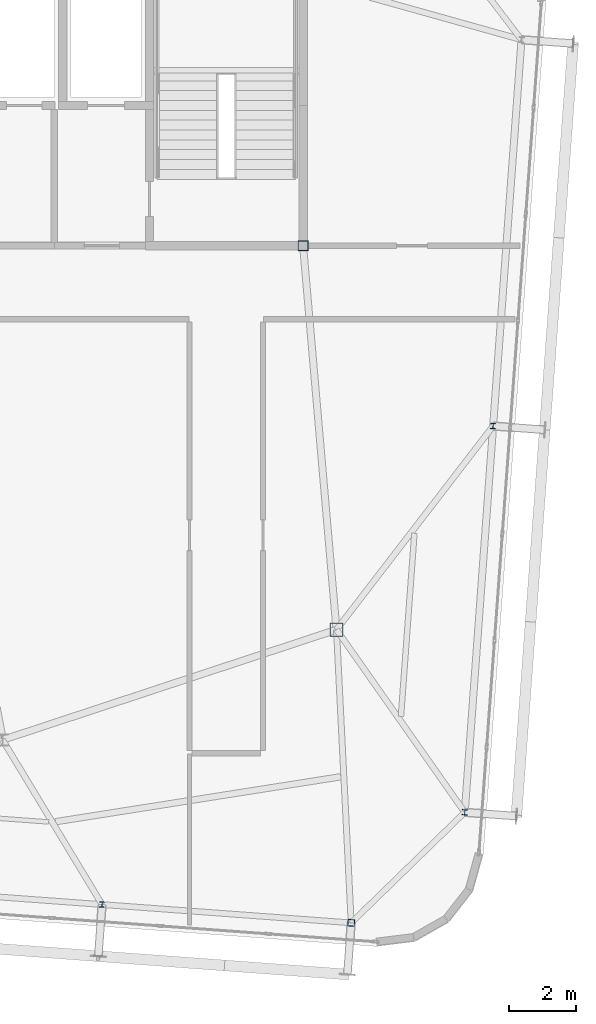
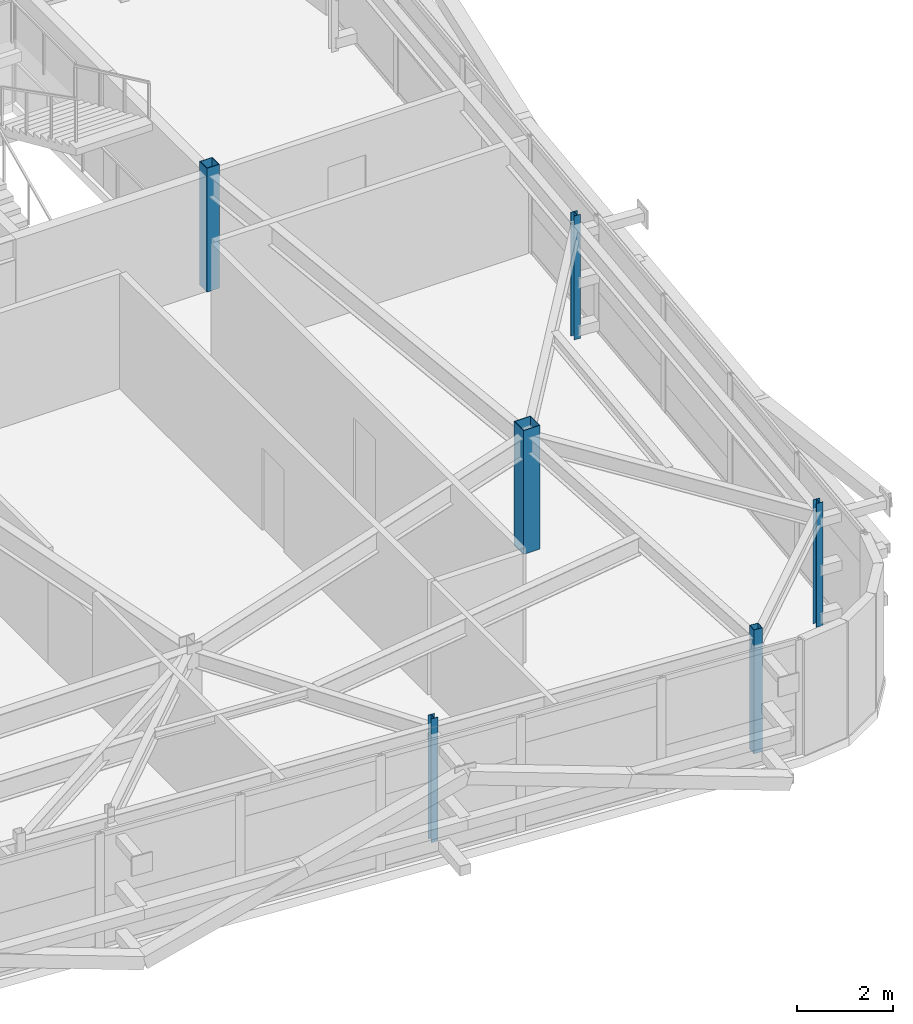
# One storey, part 5 of 42: 6 columns.
"""IFC4 building model written with IfcOpenShell, lengths in metres."""

from ifc_helpers import new_model, si_unit, direction, frame, origin, origin_2d, place, context, subcontext, project, spatial, hollow_rectangle, i_section, extrude, source, transform, mapped, material, material_profile, profile_set, type_object, element, save


model = new_model("IFC4")

# Units and contexts
model_context = context("Model", 3, precision=1e-05, world=origin(), true_north=direction((0.0, 1.0)))
body_context = subcontext(model_context, "Body", "Model", "MODEL_VIEW")
ifc_project = project(units=[si_unit("LENGTHUNIT", "METRE"), si_unit("AREAUNIT", "SQUARE_METRE"), si_unit("VOLUMEUNIT", "CUBIC_METRE"), si_unit("PLANEANGLEUNIT", "RADIAN"), si_unit("MASSUNIT", "GRAM", prefix="KILO")], contexts=[model_context])

# Site, building, storey
site_placement = place(None, origin())
site = spatial("IfcSite", under=ifc_project, at=site_placement, CompositionType="ELEMENT")
building_placement = place(site_placement, origin())
building = spatial("IfcBuilding", under=site, at=building_placement, Name="Taldren Reach Tower", CompositionType="ELEMENT")
storey_placement = place(building_placement, frame((0.0, 0.0, 220.85009765625)))
storey = spatial("IfcBuildingStorey", under=building, at=storey_placement, Name="L67", CompositionType="ELEMENT", Elevation=220.85009765625)

# Columns
ifc_material_1 = material(Name="Steel Gr 450 (C450L0)", Category="steel")
ifc_material_profile_1 = material_profile(ifc_material_1, hollow_rectangle(XDim=0.39990234375, YDim=0.39990234375, WallThickness=0.01611328125, at=origin_2d()), Name="400x400x16.0SHS")
ifc_profile_set_1 = profile_set([ifc_material_profile_1], Name="Steel Gr 450 (C450L0)")
column_type_1 = type_object("IfcColumnType", Name="COL-SHS400", PredefinedType="COLUMN", material=ifc_profile_set_1)
shared_shape_1 = source(origin(), body_context, "Body", "SweptSolid", [
    extrude(hollow_rectangle(XDim=0.39990234375, YDim=0.39990234375, WallThickness=0.01611328125, at=origin_2d()), origin(), (0.0, 0.0, 1.0), 3.14990234375),
])
column_1_placement = place(storey_placement, frame((52.0, 12.5, 0.0), z_axis=(0.0, 0.0, 1.0), x_axis=(1.0, 0.0, 0.0)))
element("IfcColumn", 1, at=column_1_placement, inside=storey, type_object=column_type_1, Name="Mega column MC-SE L67", PredefinedType="COLUMN", context=body_context, shape_type="MappedRepresentation", body=[
    mapped(shared_shape_1, transform((0.0, 0.0, 0.0), scale=1.0)),
])
ifc_material_profile_2 = material_profile(ifc_material_1, hollow_rectangle(XDim=0.300048828125, YDim=0.300048828125, WallThickness=0.012451171875, at=origin_2d()), Name="300x300x12.5SHS")
ifc_profile_set_2 = profile_set([ifc_material_profile_2], Name="Steel Gr 450 (C450L0)")
column_type_2 = type_object("IfcColumnType", Name="COL-SHS300", PredefinedType="COLUMN", material=ifc_profile_set_2)
shared_shape_2 = source(origin(), body_context, "Body", "SweptSolid", [
    extrude(hollow_rectangle(XDim=0.300048828125, YDim=0.300048828125, WallThickness=0.012451171875, at=origin_2d()), origin(), (0.0, 0.0, 1.0), 3.14990234375),
])
column_2_placement = place(storey_placement, frame((51.0, 24.0, 0.0), z_axis=(0.0, 0.0, 1.0), x_axis=(1.0, 0.0, 0.0)))
element("IfcColumn", 2, at=column_2_placement, inside=storey, type_object=column_type_2, Name="Mega column MC-C4 L67", PredefinedType="COLUMN", context=body_context, shape_type="MappedRepresentation", body=[
    mapped(shared_shape_2, transform((0.0, 0.0, 0.0), scale=1.0)),
])
ifc_material_2 = material(Name="Steel Gr 350 (C350L0)", Category="steel")
ifc_material_profile_3 = material_profile(ifc_material_2, hollow_rectangle(XDim=0.199951171875, YDim=0.199951171875, WallThickness=0.009033203125, at=origin_2d()), Name="200x200x9.0SHS")
ifc_profile_set_3 = profile_set([ifc_material_profile_3], Name="Steel Gr 350 (C350L0)")
column_type_3 = type_object("IfcColumnType", Name="COL-SHS200", PredefinedType="COLUMN", material=ifc_profile_set_3)
shared_shape_3 = source(origin(), body_context, "Body", "SweptSolid", [
    extrude(hollow_rectangle(XDim=0.199951171875, YDim=0.199951171875, WallThickness=0.009033203125, at=origin_2d()), origin(), (0.0, 0.0, 1.0), 3.14990234375),
])
column_3_placement = place(storey_placement, frame((52.440185546875, 3.72119140625, 0.0), z_axis=(0.0, 0.0, 1.0), x_axis=(0.997314477224, -0.073238197128, 0.0)))
element("IfcColumn", 3, at=column_3_placement, inside=storey, type_object=column_type_3, Name="Block B5 perimeter column S6 L67", PredefinedType="COLUMN", context=body_context, shape_type="MappedRepresentation", body=[
    mapped(shared_shape_3, transform((0.0, 0.0, 0.0), scale=1.0)),
])
ifc_material_3 = material(Name="Steel Gr 350 (350PLUS)", Category="steel")
ifc_material_profile_4 = material_profile(ifc_material_3, i_section(OverallWidth=0.154052734375, OverallDepth=0.162109375, WebThickness=0.008056640625, FlangeThickness=0.011474609375, at=origin_2d()), Name="150UC37.2")
ifc_profile_set_4 = profile_set([ifc_material_profile_4], Name="Steel Gr 350 (350PLUS)")
column_type_4 = type_object("IfcColumnType", Name="COL-UC150", PredefinedType="COLUMN", material=ifc_profile_set_4)
shared_shape_4 = source(origin(), body_context, "Body", "SweptSolid", [
    extrude(i_section(OverallWidth=0.154052734375, OverallDepth=0.162109375, WebThickness=0.008056640625, FlangeThickness=0.011474609375, at=origin_2d()), origin(), (0.0, 0.0, 1.0), 3.14990234375),
])
for number, where, z_axis, x_axis, name in (
    (4, (44.980224609375, 4.26904296875, 0.0), (0.0, 0.0, 1.0), (0.997314477224, -0.073238197128, 0.0), "Block B5 perimeter column S5 L67"),
    (5, (55.841796875, 7.031005859375, 0.0), (0.0, 0.0, 1.0), (0.997314477224, -0.073238197128, 0.0), "Block B5 perimeter column E1 L67"),
    (6, (56.69140625, 18.599853515625, 0.0), (0.0, 0.0, 1.0), (0.997314477224, -0.073238197128, 0.0), "Block B5 perimeter column E2 L67"),
):
    element("IfcColumn", number, at=place(storey_placement, frame(where, z_axis=z_axis, x_axis=x_axis)), inside=storey, type_object=column_type_4, Name=name, PredefinedType="COLUMN", context=body_context, shape_type="MappedRepresentation", body=[
        mapped(shared_shape_4, transform((0.0, 0.0, 0.0), scale=1.0)),
    ])

save(model, "model.ifc")
